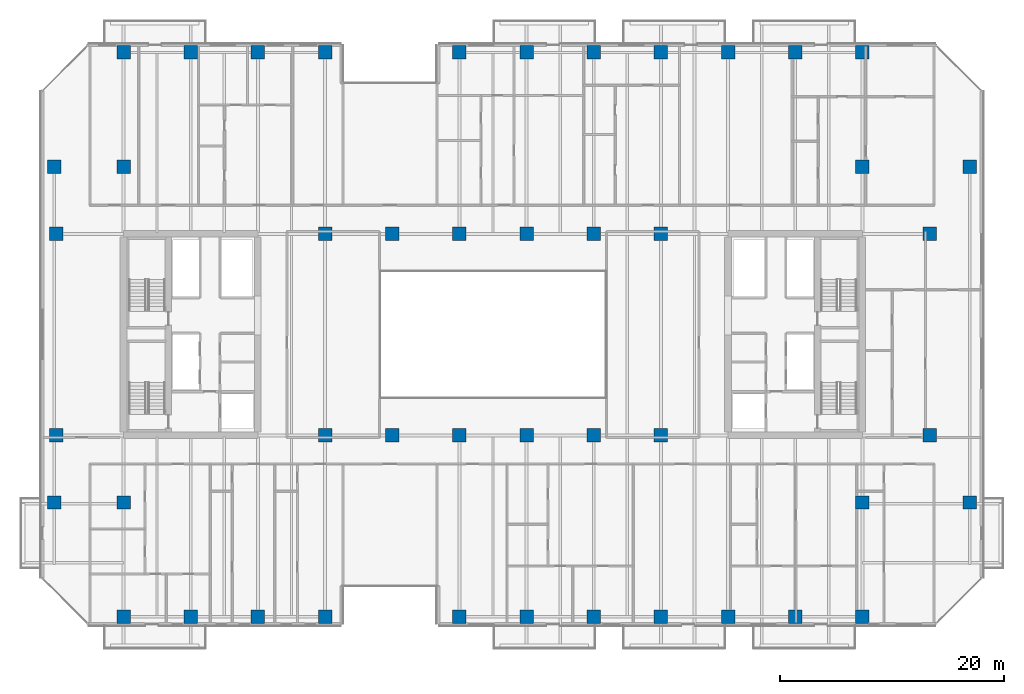
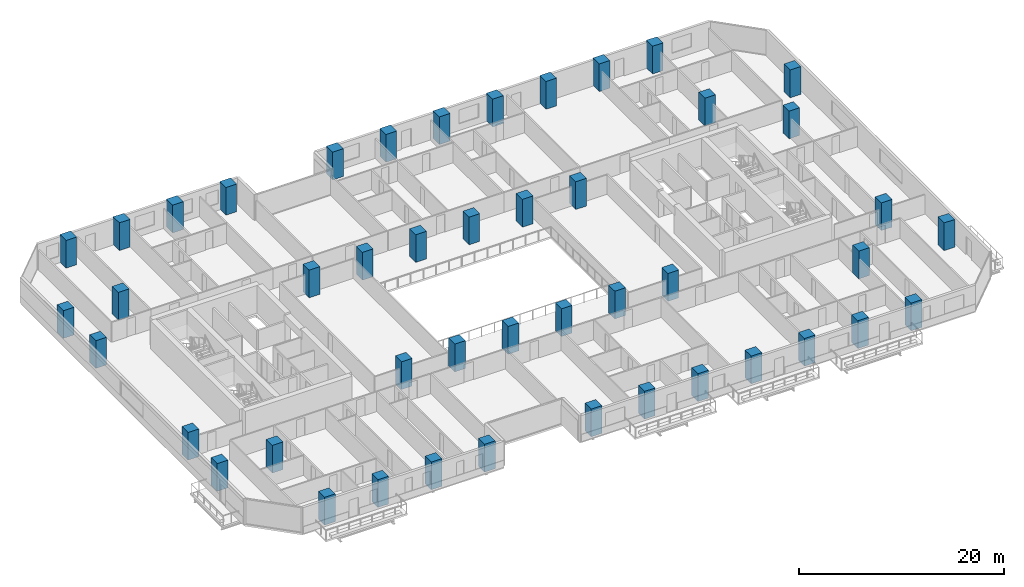
# One storey, part 1 of 33: 46 columns.
"""IFC4 building model written with IfcOpenShell, lengths in metres."""

from ifc_helpers import new_model, si_unit, direction, frame, origin, origin_2d, place, context, subcontext, project, spatial, rectangle, extrude, material, material_profile, profile_set, type_object, element, save


model = new_model("IFC4")

# Units and contexts
model_context = context("Model", 3, precision=1e-05, world=origin(), true_north=direction((0.0, 1.0)))
body_context = subcontext(model_context, "Body", "Model", "MODEL_VIEW")
ifc_project = project(units=[si_unit("LENGTHUNIT", "METRE"), si_unit("AREAUNIT", "SQUARE_METRE"), si_unit("VOLUMEUNIT", "CUBIC_METRE"), si_unit("PLANEANGLEUNIT", "RADIAN"), si_unit("MASSUNIT", "GRAM", prefix="KILO")], contexts=[model_context])

# Site, building, storey
site_placement = place(None, origin())
site = spatial("IfcSite", under=ifc_project, at=site_placement, CompositionType="ELEMENT")
building_placement = place(site_placement, origin())
building = spatial("IfcBuilding", under=site, at=building_placement, Name="Tanjung Sevakor Pilgrim Tower", CompositionType="ELEMENT")
storey_placement = place(building_placement, frame((0.0, 0.0, 38.93994140625)))
storey = spatial("IfcBuildingStorey", under=building, at=storey_placement, Name="L10", CompositionType="ELEMENT", Elevation=38.93994140625)

# Columns
ifc_material = material(Name="Concrete C60/75", Category="concrete")
ifc_material_profile = material_profile(ifc_material, rectangle(XDim=1.199951171875, YDim=1.199951171875, at=origin_2d()))
ifc_profile_set = profile_set([ifc_material_profile], Name="Concrete C60/75")
column_type = type_object("IfcColumnType", Name="COL-C-T1200-RC_1200x1200", PredefinedType="COLUMN", material=ifc_profile_set)
for number, where, z_axis, x_axis, name in (
    (1, (18.0, 24.60009765625, 0.0), (0.0, 0.0, 1.0), (1.0, 0.0, 0.0), "L10 Column SPW-018-246"),
    (2, (18.0, 42.60009765625, 0.0), (0.0, 0.0, 1.0), (1.0, 0.0, 0.0), "L10 Column SPW-018-426"),
    (3, (42.0, 24.60009765625, 0.0), (0.0, 0.0, 1.0), (1.0, 0.0, 0.0), "L10 Column SPW-042-246"),
    (4, (42.0, 42.60009765625, 0.0), (0.0, 0.0, 1.0), (1.0, 0.0, 0.0), "L10 Column SPW-042-426"),
    (5, (48.0, 24.60009765625, 0.0), (0.0, 0.0, 1.0), (1.0, 0.0, 0.0), "L10 Column SPW-048-246"),
    (6, (48.0, 42.60009765625, 0.0), (0.0, 0.0, 1.0), (1.0, 0.0, 0.0), "L10 Column SPW-048-426"),
    (7, (54.0, 24.60009765625, 0.0), (0.0, 0.0, 1.0), (1.0, 0.0, 0.0), "L10 Column SPE-054-246"),
    (8, (54.0, 42.60009765625, 0.0), (0.0, 0.0, 1.0), (1.0, 0.0, 0.0), "L10 Column SPE-054-426"),
    (9, (60.0, 24.60009765625, 0.0), (0.0, 0.0, 1.0), (1.0, 0.0, 0.0), "L10 Column SPE-060-246"),
    (10, (60.0, 42.60009765625, 0.0), (0.0, 0.0, 1.0), (1.0, 0.0, 0.0), "L10 Column SPE-060-426"),
    (11, (66.0, 24.60009765625, 0.0), (0.0, 0.0, 1.0), (1.0, 0.0, 0.0), "L10 Column SPE-066-246"),
    (12, (66.0, 42.60009765625, 0.0), (0.0, 0.0, 1.0), (1.0, 0.0, 0.0), "L10 Column SPE-066-426"),
    (13, (72.0, 24.60009765625, 0.0), (0.0, 0.0, 1.0), (1.0, 0.0, 0.0), "L10 Column SPE-072-246"),
    (14, (72.0, 42.60009765625, 0.0), (0.0, 0.0, 1.0), (1.0, 0.0, 0.0), "L10 Column SPE-072-426"),
    (15, (96.0, 24.60009765625, 0.0), (0.0, 0.0, 1.0), (1.0, 0.0, 0.0), "L10 Column SPE-096-246"),
    (16, (96.0, 42.60009765625, 0.0), (0.0, 0.0, 1.0), (1.0, 0.0, 0.0), "L10 Column SPE-096-426"),
    (17, (17.800048828125, 18.60009765625, 0.0), (0.0, 0.0, 1.0), (1.0, 0.0, 0.0), "L10 Column TCE-0178-186"),
    (18, (17.800048828125, 48.60009765625, 0.0), (0.0, 0.0, 1.0), (1.0, 0.0, 0.0), "L10 Column TCE-0178-486"),
    (19, (24.0, 18.60009765625, 0.0), (0.0, 0.0, 1.0), (1.0, 0.0, 0.0), "L10 Column TCE-0240-186"),
    (20, (24.0, 48.60009765625, 0.0), (0.0, 0.0, 1.0), (1.0, 0.0, 0.0), "L10 Column TCE-0240-486"),
    (21, (90.0, 18.60009765625, 0.0), (0.0, 0.0, 1.0), (1.0, 0.0, 0.0), "L10 Column TCE-0900-186"),
    (22, (90.0, 48.60009765625, 0.0), (0.0, 0.0, 1.0), (1.0, 0.0, 0.0), "L10 Column TCE-0900-486"),
    (23, (99.60009765625, 18.60009765625, 0.0), (0.0, 0.0, 1.0), (1.0, 0.0, 0.0), "L10 Column TCE-0996-186"),
    (24, (99.60009765625, 48.60009765625, 0.0), (0.0, 0.0, 1.0), (1.0, 0.0, 0.0), "L10 Column TCE-0996-486"),
    (25, (24.0, 8.39990234375, 0.0), (0.0, 0.0, 1.0), (1.0, 0.0, 0.0), "L10 Column TC1-024-084"),
    (26, (24.0, 58.800048828125, 0.0), (0.0, 0.0, 1.0), (1.0, 0.0, 0.0), "L10 Column TC1-024-588"),
    (27, (30.0, 8.39990234375, 0.0), (0.0, 0.0, 1.0), (1.0, 0.0, 0.0), "L10 Column TC1-030-084"),
    (28, (30.0, 58.800048828125, 0.0), (0.0, 0.0, 1.0), (1.0, 0.0, 0.0), "L10 Column TC1-030-588"),
    (29, (36.0, 8.39990234375, 0.0), (0.0, 0.0, 1.0), (1.0, 0.0, 0.0), "L10 Column TC1-036-084"),
    (30, (36.0, 58.800048828125, 0.0), (0.0, 0.0, 1.0), (1.0, 0.0, 0.0), "L10 Column TC1-036-588"),
    (31, (42.0, 8.39990234375, 0.0), (0.0, 0.0, 1.0), (1.0, 0.0, 0.0), "L10 Column TC1-042-084"),
    (32, (42.0, 58.800048828125, 0.0), (0.0, 0.0, 1.0), (1.0, 0.0, 0.0), "L10 Column TC1-042-588"),
    (33, (54.0, 8.39990234375, 0.0), (0.0, 0.0, 1.0), (1.0, 0.0, 0.0), "L10 Column TC1-054-084"),
    (34, (54.0, 58.800048828125, 0.0), (0.0, 0.0, 1.0), (1.0, 0.0, 0.0), "L10 Column TC1-054-588"),
    (35, (60.0, 8.39990234375, 0.0), (0.0, 0.0, 1.0), (1.0, 0.0, 0.0), "L10 Column TC1-060-084"),
    (36, (60.0, 58.800048828125, 0.0), (0.0, 0.0, 1.0), (1.0, 0.0, 0.0), "L10 Column TC1-060-588"),
    (37, (66.0, 8.39990234375, 0.0), (0.0, 0.0, 1.0), (1.0, 0.0, 0.0), "L10 Column TC1-066-084"),
    (38, (66.0, 58.800048828125, 0.0), (0.0, 0.0, 1.0), (1.0, 0.0, 0.0), "L10 Column TC1-066-588"),
    (39, (72.0, 8.39990234375, 0.0), (0.0, 0.0, 1.0), (1.0, 0.0, 0.0), "L10 Column TC1-072-084"),
    (40, (72.0, 58.800048828125, 0.0), (0.0, 0.0, 1.0), (1.0, 0.0, 0.0), "L10 Column TC1-072-588"),
    (41, (78.0, 8.39990234375, 0.0), (0.0, 0.0, 1.0), (1.0, 0.0, 0.0), "L10 Column TC1-078-084"),
    (42, (78.0, 58.800048828125, 0.0), (0.0, 0.0, 1.0), (1.0, 0.0, 0.0), "L10 Column TC1-078-588"),
    (43, (84.0, 8.39990234375, 0.0), (0.0, 0.0, 1.0), (1.0, 0.0, 0.0), "L10 Column TC1-084-084"),
    (44, (84.0, 58.800048828125, 0.0), (0.0, 0.0, 1.0), (1.0, 0.0, 0.0), "L10 Column TC1-084-588"),
    (45, (90.0, 8.39990234375, 0.0), (0.0, 0.0, 1.0), (1.0, 0.0, 0.0), "L10 Column TC1-090-084"),
    (46, (90.0, 58.800048828125, 0.0), (0.0, 0.0, 1.0), (1.0, 0.0, 0.0), "L10 Column TC1-090-588"),
):
    element("IfcColumn", number, at=place(storey_placement, frame(where, z_axis=z_axis, x_axis=x_axis)), inside=storey, type_object=column_type, Name=name, PredefinedType="COLUMN", context=body_context, shape_type="SweptSolid", body=[
        extrude(rectangle(XDim=1.199951171875, YDim=1.199951171875, at=origin_2d()), origin(), (0.0, 0.0, 1.0), 3.300048828125),
    ])

save(model, "model.ifc")
